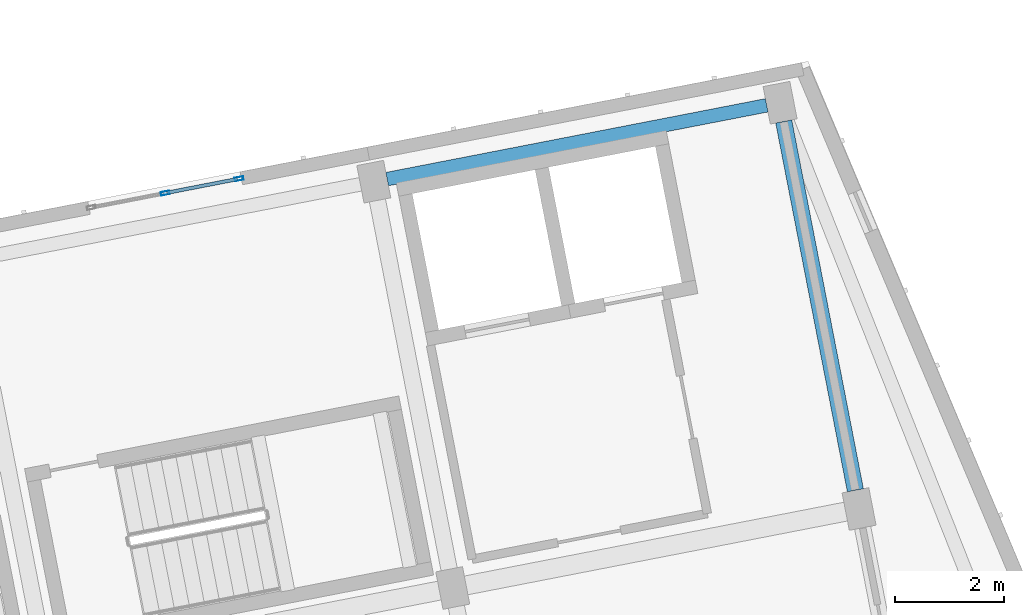
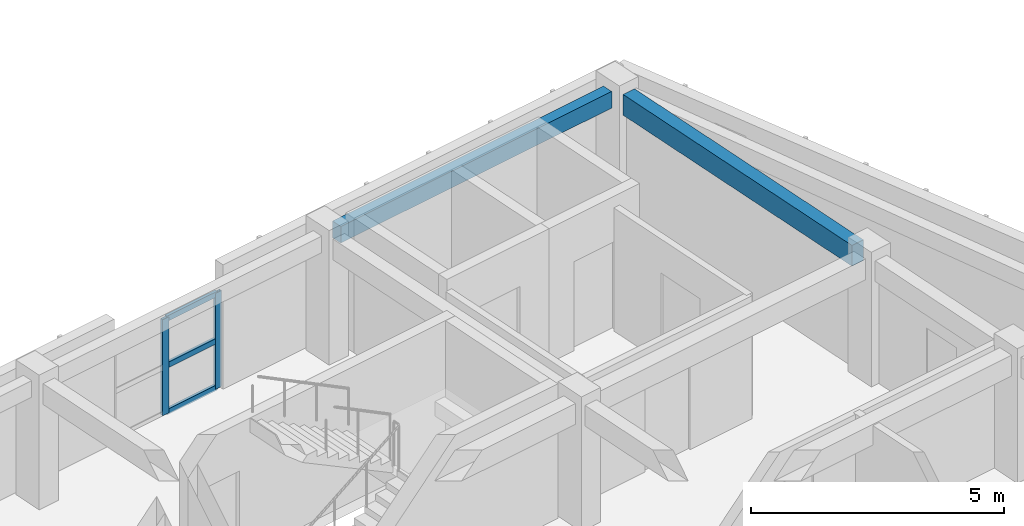
# One storey, part 11 of 66: 5 members, 2 beams, 1 element without a shape of its own.
"""IFC4 building model written with IfcOpenShell, lengths in metres."""

from ifc_helpers import new_model, si_unit, direction, frame, origin, origin_2d, place, context, subcontext, project, spatial, rectangle, hollow_rectangle, extrude, material, material_profile, profile_set, type_object, element, aggregate, save


model = new_model("IFC4")

# Units and contexts
model_context = context("Model", 3, precision=1e-05, world=origin(), true_north=direction((0.0, 1.0)))
body_context = subcontext(model_context, "Body", "Model", "MODEL_VIEW")
ifc_project = project(units=[si_unit("LENGTHUNIT", "METRE"), si_unit("AREAUNIT", "SQUARE_METRE"), si_unit("VOLUMEUNIT", "CUBIC_METRE"), si_unit("PLANEANGLEUNIT", "RADIAN"), si_unit("MASSUNIT", "GRAM", prefix="KILO")], contexts=[model_context])

# Site, building, storey
site_placement = place(None, origin())
site = spatial("IfcSite", under=ifc_project, at=site_placement, CompositionType="ELEMENT")
building_placement = place(site_placement, origin())
building = spatial("IfcBuilding", under=site, at=building_placement, Name="Kestramere Prow Commons", CompositionType="ELEMENT")
storey_placement = place(building_placement, frame((0.0, 0.0, 14.89990234375)))
storey = spatial("IfcBuildingStorey", under=building, at=storey_placement, Name="L04", CompositionType="ELEMENT", Elevation=14.89990234375)

# Beam
ifc_material_1 = material(Name="Precast concrete C40/50", Category="concrete")
ifc_material_profile_1 = material_profile(ifc_material_1, rectangle(XDim=0.300048828125, YDim=0.5, at=origin_2d()), Name="PC-BM 300x500")
ifc_profile_set_1 = profile_set([ifc_material_profile_1], Name="Precast concrete C40/50")
beam_type_1 = type_object("IfcBeamType", Name="BM-TIE-01 PC-BM 300x500", PredefinedType="BEAM", material=ifc_profile_set_1)
beam_1_placement = place(storey_placement, frame((160.8056640625, 54.823974609375, 2.75), z_axis=(-0.190819465253, 0.981625148252, 0.0), x_axis=(-0.981625148252, -0.190819465253, 0.0)))
element("IfcBeam", 1, at=beam_1_placement, inside=storey, type_object=beam_type_1, Name="Block D L04 Transverse Beam 7-3", PredefinedType="BEAM", context=body_context, shape_type="SweptSolid", body=[
    extrude(rectangle(XDim=0.300048828125, YDim=0.5, at=origin_2d()), origin(), (0.0, 0.0, 1.0), 6.89990234375),
])

# Curtain wall, members
ifc_material_2 = material(Name="Anodised Aluminium and Low-E Glass", Category="aluminium")
curtain_wall_type = type_object("IfcCurtainWallType", Name="CW-03 Glazed Curtain Wall 2830x2320", PredefinedType="USERDEFINED", material=ifc_material_2)
curtain_wall_placement = place(storey_placement, origin())
curtain_wall = element("IfcCurtainWall", 2, at=curtain_wall_placement, inside=storey, type_object=curtain_wall_type, Name="Block D L04 Stairwell Vertical Glazing 5", ObjectType="GLAZED CURTAIN WALL", PredefinedType="USERDEFINED")
ifc_material_3 = material(Name="Anodised Aluminium 6063-T6", Category="aluminium")
ifc_material_profile_2 = material_profile(ifc_material_3, hollow_rectangle(XDim=0.06494140625, YDim=0.159912109375, WallThickness=0.00390625, at=origin_2d()), Name="ALU-MUL 65x160")
ifc_profile_set_2 = profile_set([ifc_material_profile_2], Name="Anodised Aluminium 6063-T6")
member_type_1 = type_object("IfcMemberType", Name="CW-MUL-65x160", PredefinedType="MULLION", material=ifc_profile_set_2)
member_1_placement = place(storey_placement, frame((148.131591796875, 60.281005859375, 0.0), z_axis=(0.0, 0.0, 1.0), x_axis=(-0.190808835118, 0.981627214599, 0.0)))
member_1 = element("IfcMember", 3, at=member_1_placement, type_object=member_type_1, Name="CW-03 mullion 2", PredefinedType="MULLION", context=body_context, shape_type="SweptSolid", body=[
    extrude(hollow_rectangle(XDim=0.06494140625, YDim=0.159912109375, WallThickness=0.00390625, at=origin_2d()), origin(), (0.0, 0.0, 1.0), 2.320068359375),
])
member_2_placement = place(storey_placement, frame((149.48876953125, 60.544677734375, 0.0), z_axis=(0.0, 0.0, 1.0), x_axis=(-0.190808835118, 0.981627214599, 0.0)))
member_2 = element("IfcMember", 4, at=member_2_placement, type_object=member_type_1, Name="CW-03 mullion 3", PredefinedType="MULLION", context=body_context, shape_type="SweptSolid", body=[
    extrude(hollow_rectangle(XDim=0.06494140625, YDim=0.159912109375, WallThickness=0.00390625, at=origin_2d()), origin(), (0.0, 0.0, 1.0), 2.320068359375),
])
ifc_material_profile_3 = material_profile(ifc_material_3, hollow_rectangle(XDim=0.06494140625, YDim=0.1298828125, WallThickness=0.00390625, at=origin_2d()), Name="ALU-TRN 65x130")
ifc_profile_set_3 = profile_set([ifc_material_profile_3], Name="Anodised Aluminium 6063-T6")
member_type_2 = type_object("IfcMemberType", Name="CW-TRN-65x130", PredefinedType="USERDEFINED", material=ifc_profile_set_3)
member_3_placement = place(storey_placement, frame((148.16357421875, 60.287109375, 0.03271484375), z_axis=(0.981614425191, 0.190874619208, 0.0), x_axis=(-0.190874619208, 0.981614425191, 0.0)))
member_3 = element("IfcMember", 5, at=member_3_placement, type_object=member_type_2, Name="CW-03 transom 2.1", ObjectType="TRANSOM", PredefinedType="USERDEFINED", context=body_context, shape_type="SweptSolid", body=[
    extrude(hollow_rectangle(XDim=0.06494140625, YDim=0.1298828125, WallThickness=0.00390625, at=origin_2d()), origin(), (0.0, 0.0, 1.0), 1.3173828125),
])
member_4_placement = place(storey_placement, frame((148.16357421875, 60.287109375, 1.16015625), z_axis=(0.981614425191, 0.190874619208, 0.0), x_axis=(-0.190874619208, 0.981614425191, 0.0)))
member_4 = element("IfcMember", 6, at=member_4_placement, type_object=member_type_2, Name="CW-03 transom 2.2", ObjectType="TRANSOM", PredefinedType="USERDEFINED", context=body_context, shape_type="SweptSolid", body=[
    extrude(hollow_rectangle(XDim=0.06494140625, YDim=0.1298828125, WallThickness=0.00390625, at=origin_2d()), origin(), (0.0, 0.0, 1.0), 1.3173828125),
])
member_5_placement = place(storey_placement, frame((148.16357421875, 60.287109375, 2.28759765625), z_axis=(0.981614425191, 0.190874619208, 0.0), x_axis=(-0.190874619208, 0.981614425191, 0.0)))
member_5 = element("IfcMember", 7, at=member_5_placement, type_object=member_type_2, Name="CW-03 transom 2.3", ObjectType="TRANSOM", PredefinedType="USERDEFINED", context=body_context, shape_type="SweptSolid", body=[
    extrude(hollow_rectangle(XDim=0.06494140625, YDim=0.1298828125, WallThickness=0.00390625, at=origin_2d()), origin(), (0.0, 0.0, 1.0), 1.3173828125),
])
aggregate(curtain_wall, [member_1, member_2, member_3, member_4, member_5])

# Beam
ifc_material_profile_4 = material_profile(ifc_material_1, rectangle(XDim=0.25, YDim=0.39990234375, at=origin_2d()), Name="PC-SP 250x400")
ifc_profile_set_4 = profile_set([ifc_material_profile_4], Name="Precast concrete C40/50")
beam_type_2 = type_object("IfcBeamType", Name="SP-EXT-01 PC-SP 250x400", PredefinedType="SPANDREL", material=ifc_profile_set_4)
beam_2_placement = place(storey_placement, frame((152.207275390625, 60.538330078125, 2.800048828125), z_axis=(0.98162827229, 0.190803393686, 0.0), x_axis=(-0.190803393686, 0.98162827229, 0.0)))
element("IfcBeam", 8, at=beam_2_placement, inside=storey, type_object=beam_type_2, Name="Block D L04 Longitudinal Beam 4-6", PredefinedType="SPANDREL", context=body_context, shape_type="SweptSolid", body=[
    extrude(rectangle(XDim=0.25, YDim=0.39990234375, at=origin_2d()), origin(), (0.0, 0.0, 1.0), 7.10009765625),
])

save(model, "model.ifc")
